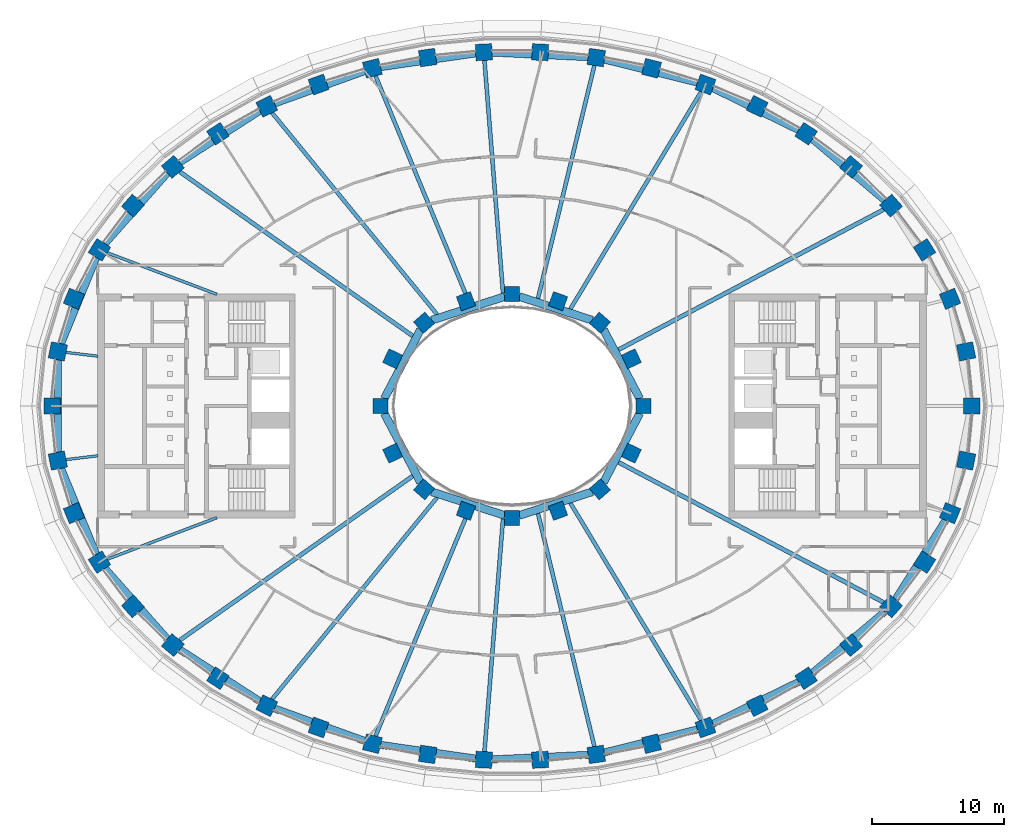
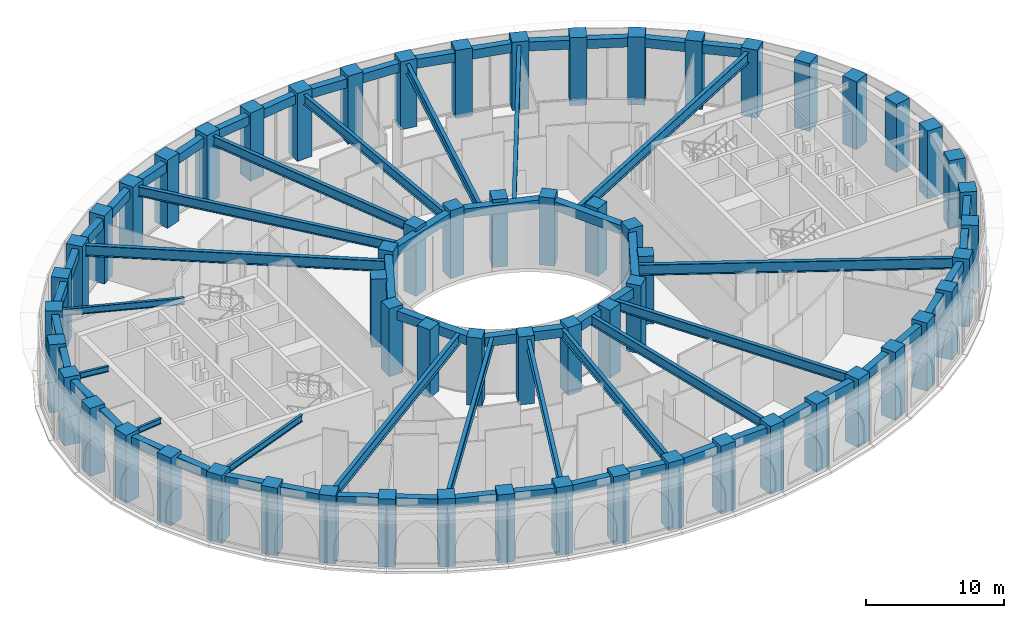
# One storey, part 1 of 23: 62 columns, 46 beams.
"""IFC4 building model written with IfcOpenShell, lengths in metres."""

from ifc_helpers import new_model, si_unit, direction, frame, origin, origin_2d, place, context, subcontext, project, spatial, rectangle, i_section, extrude, material, material_profile, profile_set, type_object, element, save


model = new_model("IFC4")

# Units and contexts
model_context = context("Model", 3, precision=1e-05, world=origin(), true_north=direction((0.0, 1.0)))
body_context = subcontext(model_context, "Body", "Model", "MODEL_VIEW")
ifc_project = project(units=[si_unit("LENGTHUNIT", "METRE"), si_unit("AREAUNIT", "SQUARE_METRE"), si_unit("VOLUMEUNIT", "CUBIC_METRE"), si_unit("PLANEANGLEUNIT", "RADIAN"), si_unit("MASSUNIT", "GRAM", prefix="KILO")], contexts=[model_context])

# Site, building, storey
site_placement = place(None, origin())
site = spatial("IfcSite", under=ifc_project, at=site_placement, CompositionType="ELEMENT")
building_placement = place(site_placement, origin())
building = spatial("IfcBuilding", under=site, at=building_placement, Name="Noorbagh Ring Tower", CompositionType="ELEMENT")
storey_placement = place(building_placement, frame((0.0, 0.0, 140.0)))
storey = spatial("IfcBuildingStorey", under=building, at=storey_placement, Name="L32", CompositionType="ELEMENT", Elevation=140.0)

# Columns
ifc_material_1 = material(Name="Concrete C60/75", Category="concrete")
ifc_material_profile_1 = material_profile(ifc_material_1, rectangle(XDim=1.25, YDim=1.25, at=origin_2d()), Name="RC1250x1250")
ifc_profile_set_1 = profile_set([ifc_material_profile_1], Name="Concrete C60/75")
column_type_1 = type_object("IfcColumnType", Name="STR-COL-RC1250x1250-C60-75", PredefinedType="COLUMN", material=ifc_profile_set_1)
for number, where, z_axis, x_axis, name in (
    (1, (34.944580078125, 0.0, 0.0), (0.0, 0.0, 1.0), (0.0, 1.0, 0.0), "L32/col/R1-01"),
    (2, (34.52685546875, 4.150634765625, 0.0), (0.0, 0.0, 1.0), (-0.19723040178, 0.9803571638, 0.0), "L32/col/R1-02"),
    (3, (33.30517578125, 8.1494140625, 0.0), (0.0, 0.0, 1.0), (-0.378989499959, 0.925400971969, 0.0), "L32/col/R1-03"),
    (4, (31.364990234375, 11.87109375, 0.0), (0.0, 0.0, 1.0), (-0.535190403059, 0.844731455833, 0.0), "L32/col/R1-04"),
    (5, (28.81884765625, 15.23046875, 0.0), (0.0, 0.0, 1.0), (-0.662635642662, 0.748941923699, 0.0), "L32/col/R1-05"),
    (6, (25.78271484375, 18.180419921875, 0.0), (0.0, 0.0, 1.0), (-0.763035199656, 0.646356932419, 0.0), "L32/col/R1-06"),
    (7, (22.362060546875, 20.699951171875, 0.0), (0.0, 0.0, 1.0), (-0.840247639643, 0.542202825586, 0.0), "L32/col/R1-07"),
    (8, (18.646240234375, 22.785400390625, 0.0), (0.0, 0.0, 1.0), (-0.898399080868, 0.439180021741, 0.0), "L32/col/R1-08"),
    (9, (14.70947265625, 24.44091796875, 0.0), (0.0, 0.0, 1.0), (-0.941024726094, 0.338337797003, 0.0), "L32/col/R1-09"),
    (10, (10.61328125, 25.673583984375, 0.0), (0.0, 0.0, 1.0), (-0.970829360981, 0.239771457553, 0.0), "L32/col/R1-10"),
    (11, (6.4091796875, 26.49072265625, 0.0), (0.0, 0.0, 1.0), (-0.989713114048, 0.143066249975, 0.0), "L32/col/R1-11"),
    (12, (2.14306640625, 26.89794921875, 0.0), (0.0, 0.0, 1.0), (-0.998868731212, 0.047552684538, 0.0), "L32/col/R1-12"),
    (13, (-2.14306640625, 26.89794921875, 0.0), (0.0, 0.0, 1.0), (-0.998868731212, -0.047552684538, 0.0), "L32/col/R1-13"),
    (14, (-6.4091796875, 26.49072265625, 0.0), (0.0, 0.0, 1.0), (-0.989713114048, -0.143066249975, 0.0), "L32/col/R1-14"),
    (15, (-10.61328125, 25.673583984375, 0.0), (0.0, 0.0, 1.0), (-0.970829360981, -0.239771457553, 0.0), "L32/col/R1-15"),
    (16, (-14.70947265625, 24.44091796875, 0.0), (0.0, 0.0, 1.0), (-0.941024726094, -0.338337797003, 0.0), "L32/col/R1-16"),
    (17, (-18.646240234375, 22.785400390625, 0.0), (0.0, 0.0, 1.0), (-0.898399080868, -0.439180021741, 0.0), "L32/col/R1-17"),
    (18, (-22.362060546875, 20.699951171875, 0.0), (0.0, 0.0, 1.0), (-0.840247639643, -0.542202825586, 0.0), "L32/col/R1-18"),
    (19, (-25.78271484375, 18.180419921875, 0.0), (0.0, 0.0, 1.0), (-0.763035199656, -0.646356932419, 0.0), "L32/col/R1-19"),
    (20, (-28.81884765625, 15.23046875, 0.0), (0.0, 0.0, 1.0), (-0.662635642662, -0.748941923699, 0.0), "L32/col/R1-20"),
    (21, (-31.364990234375, 11.87109375, 0.0), (0.0, 0.0, 1.0), (-0.535190403059, -0.844731455833, 0.0), "L32/col/R1-21"),
    (22, (-33.30517578125, 8.1494140625, 0.0), (0.0, 0.0, 1.0), (-0.378989499959, -0.925400971969, 0.0), "L32/col/R1-22"),
    (23, (-34.52685546875, 4.150634765625, 0.0), (0.0, 0.0, 1.0), (-0.19723040178, -0.9803571638, 0.0), "L32/col/R1-23"),
    (24, (-34.944580078125, 0.0, 0.0), (0.0, 0.0, 1.0), (0.0, -1.0, 0.0), "L32/col/R1-24"),
    (25, (-34.52685546875, -4.150634765625, 0.0), (0.0, 0.0, 1.0), (0.19723040178, -0.9803571638, 0.0), "L32/col/R1-25"),
    (26, (-33.30517578125, -8.1494140625, 0.0), (0.0, 0.0, 1.0), (0.378989499959, -0.925400971969, 0.0), "L32/col/R1-26"),
    (27, (-31.364990234375, -11.87109375, 0.0), (0.0, 0.0, 1.0), (0.535190403059, -0.844731455833, 0.0), "L32/col/R1-27"),
    (28, (-28.81884765625, -15.23046875, 0.0), (0.0, 0.0, 1.0), (0.662635642662, -0.748941923699, 0.0), "L32/col/R1-28"),
    (29, (-25.78271484375, -18.180419921875, 0.0), (0.0, 0.0, 1.0), (0.763035199656, -0.646356932419, 0.0), "L32/col/R1-29"),
    (30, (-22.362060546875, -20.699951171875, 0.0), (0.0, 0.0, 1.0), (0.840247639643, -0.542202825586, 0.0), "L32/col/R1-30"),
    (31, (-18.646240234375, -22.785400390625, 0.0), (0.0, 0.0, 1.0), (0.898399080868, -0.439180021741, 0.0), "L32/col/R1-31"),
    (32, (-14.70947265625, -24.44091796875, 0.0), (0.0, 0.0, 1.0), (0.941024726094, -0.338337797003, 0.0), "L32/col/R1-32"),
    (33, (-10.61328125, -25.673583984375, 0.0), (0.0, 0.0, 1.0), (0.970829360981, -0.239771457553, 0.0), "L32/col/R1-33"),
    (34, (-6.4091796875, -26.49072265625, 0.0), (0.0, 0.0, 1.0), (0.989713114048, -0.143066249975, 0.0), "L32/col/R1-34"),
    (35, (-2.14306640625, -26.89794921875, 0.0), (0.0, 0.0, 1.0), (0.998868731212, -0.047552684538, 0.0), "L32/col/R1-35"),
    (36, (2.14306640625, -26.89794921875, 0.0), (0.0, 0.0, 1.0), (0.998868731212, 0.047552684538, 0.0), "L32/col/R1-36"),
    (37, (6.4091796875, -26.49072265625, 0.0), (0.0, 0.0, 1.0), (0.989713114048, 0.143066249975, 0.0), "L32/col/R1-37"),
    (38, (10.61328125, -25.673583984375, 0.0), (0.0, 0.0, 1.0), (0.970829360981, 0.239771457553, 0.0), "L32/col/R1-38"),
    (39, (14.70947265625, -24.44091796875, 0.0), (0.0, 0.0, 1.0), (0.941024726094, 0.338337797003, 0.0), "L32/col/R1-39"),
    (40, (18.646240234375, -22.785400390625, 0.0), (0.0, 0.0, 1.0), (0.898399080868, 0.439180021741, 0.0), "L32/col/R1-40"),
    (41, (22.362060546875, -20.699951171875, 0.0), (0.0, 0.0, 1.0), (0.840247639643, 0.542202825586, 0.0), "L32/col/R1-41"),
    (42, (25.78271484375, -18.180419921875, 0.0), (0.0, 0.0, 1.0), (0.763035199656, 0.646356932419, 0.0), "L32/col/R1-42"),
    (43, (28.81884765625, -15.23046875, 0.0), (0.0, 0.0, 1.0), (0.662635642662, 0.748941923699, 0.0), "L32/col/R1-43"),
    (44, (31.364990234375, -11.87109375, 0.0), (0.0, 0.0, 1.0), (0.535190403059, 0.844731455833, 0.0), "L32/col/R1-44"),
    (45, (33.30517578125, -8.1494140625, 0.0), (0.0, 0.0, 1.0), (0.378989499959, 0.925400971969, 0.0), "L32/col/R1-45"),
    (46, (34.52685546875, -4.150634765625, 0.0), (0.0, 0.0, 1.0), (0.19723040178, 0.9803571638, 0.0), "L32/col/R1-46"),
):
    element("IfcColumn", number, at=place(storey_placement, frame(where, z_axis=z_axis, x_axis=x_axis)), inside=storey, type_object=column_type_1, Name=name, PredefinedType="COLUMN", context=body_context, shape_type="SweptSolid", body=[
        extrude(rectangle(XDim=1.25, YDim=1.25, at=origin_2d()), origin(), (0.0, 0.0, 1.0), 6.0),
    ])
ifc_material_2 = material(Name="Concrete C60/75", Category="concrete")
ifc_material_profile_2 = material_profile(ifc_material_2, rectangle(XDim=1.14990234375, YDim=1.14990234375, at=origin_2d()), Name="RC1150x1150")
ifc_profile_set_2 = profile_set([ifc_material_profile_2], Name="Concrete C60/75")
column_type_2 = type_object("IfcColumnType", Name="STR-ICOL-RC1150x1150-C60-75", PredefinedType="COLUMN", material=ifc_profile_set_2)
for number, where, z_axis, x_axis, name in (
    (47, (10.00830078125, 0.0, 0.0), (0.0, 0.0, 1.0), (0.0, 1.0, 0.0), "L32/col/IR2-W01"),
    (48, (9.07568359375, 3.58837890625, 0.0), (0.0, 0.0, 1.0), (-0.428666979171, 0.903462573087, 0.0), "L32/col/IR2-W03"),
    (49, (6.68212890625, 6.333740234375, 0.0), (0.0, 0.0, 1.0), (-0.75102249095, 0.660276622399, 0.0), "L32/col/IR2-W05"),
    (50, (3.5009765625, 7.967041015625, 0.0), (0.0, 0.0, 1.0), (-0.939019578916, 0.343863679984, 0.0), "L32/col/IR2-W07"),
    (51, (0.0, 8.5029296875, 0.0), (0.0, 0.0, 1.0), (-1.0, 0.0, 0.0), "L32/col/IR2-W09"),
    (52, (-3.5009765625, 7.967041015625, 0.0), (0.0, 0.0, 1.0), (-0.939019578916, -0.343863679984, 0.0), "L32/col/IR2-W11"),
    (53, (-6.68212890625, 6.333740234375, 0.0), (0.0, 0.0, 1.0), (-0.75102249095, -0.660276622399, 0.0), "L32/col/IR2-W13"),
    (54, (-9.07568359375, 3.58837890625, 0.0), (0.0, 0.0, 1.0), (-0.428666979171, -0.903462573087, 0.0), "L32/col/IR2-W15"),
    (55, (-10.00830078125, 0.0, 0.0), (0.0, 0.0, 1.0), (0.0, -1.0, 0.0), "L32/col/IR2-W17"),
    (56, (-9.07568359375, -3.58837890625, 0.0), (0.0, 0.0, 1.0), (0.428666979171, -0.903462573087, 0.0), "L32/col/IR2-W19"),
    (57, (-6.68212890625, -6.333740234375, 0.0), (0.0, 0.0, 1.0), (0.75102249095, -0.660276622399, 0.0), "L32/col/IR2-W21"),
    (58, (-3.5009765625, -7.967041015625, 0.0), (0.0, 0.0, 1.0), (0.939019578916, -0.343863679984, 0.0), "L32/col/IR2-W23"),
    (59, (0.0, -8.5029296875, 0.0), (0.0, 0.0, 1.0), (1.0, 0.0, 0.0), "L32/col/IR2-W25"),
    (60, (3.5009765625, -7.967041015625, 0.0), (0.0, 0.0, 1.0), (0.939019578916, 0.343863679984, 0.0), "L32/col/IR2-W27"),
    (61, (6.68212890625, -6.333740234375, 0.0), (0.0, 0.0, 1.0), (0.75102249095, 0.660276622399, 0.0), "L32/col/IR2-W29"),
    (62, (9.07568359375, -3.58837890625, 0.0), (0.0, 0.0, 1.0), (0.428666979171, 0.903462573087, 0.0), "L32/col/IR2-W31"),
):
    element("IfcColumn", number, at=place(storey_placement, frame(where, z_axis=z_axis, x_axis=x_axis)), inside=storey, type_object=column_type_2, Name=name, PredefinedType="COLUMN", context=body_context, shape_type="SweptSolid", body=[
        extrude(rectangle(XDim=1.14990234375, YDim=1.14990234375, at=origin_2d()), origin(), (0.0, 0.0, 1.0), 6.0),
    ])

# Beams
ifc_material_3 = material(Name="Steel S355", Category="steel")
ifc_material_profile_3 = material_profile(ifc_material_3, i_section(OverallWidth=0.199951171875, OverallDepth=0.5, WebThickness=0.01025390625, FlangeThickness=0.01611328125, FilletRadius=0.02099609375, at=origin_2d()), Name="IPE500")
ifc_profile_set_3 = profile_set([ifc_material_profile_3], Name="Steel S355")
beam_type_1 = type_object("IfcBeamType", Name="STR-RAD-IPE500", PredefinedType="BEAM", material=ifc_profile_set_3)
for number, where, z_axis, x_axis, name in (
    (63, (-33.924072265625, 4.078125, 5.449951171875), (0.992855702759, -0.119321219822, 0.0), (0.119321219822, 0.992855702759, 0.0), "L32/bm/RD23"),
    (64, (-33.924072265625, -4.078125, 5.449951171875), (0.992855702759, 0.119321219822, 0.0), (-0.119321219822, 0.992855702759, 0.0), "L32/bm/RD25"),
):
    element("IfcBeam", number, at=place(storey_placement, frame(where, z_axis=z_axis, x_axis=x_axis)), inside=storey, type_object=beam_type_1, Name=name, PredefinedType="BEAM", context=body_context, shape_type="SweptSolid", body=[
        extrude(i_section(OverallWidth=0.199951171875, OverallDepth=0.5, WebThickness=0.01025390625, FlangeThickness=0.01611328125, FilletRadius=0.02099609375, at=origin_2d()), origin(), (0.0, 0.0, 1.0), 2.46142578125),
    ])
ifc_material_4 = material(Name="Steel S355", Category="steel")
ifc_material_profile_4 = material_profile(ifc_material_4, i_section(OverallWidth=0.219970703125, OverallDepth=0.60009765625, WebThickness=0.011962890625, FlangeThickness=0.01904296875, FilletRadius=0.02392578125, at=origin_2d()), Name="IPE600")
ifc_profile_set_4 = profile_set([ifc_material_profile_4], Name="Steel S355")
beam_type_2 = type_object("IfcBeamType", Name="STR-RAD-IPE600", PredefinedType="BEAM", material=ifc_profile_set_4)
for number, where, z_axis, x_axis, name in (
    (65, (-30.786865234375, 11.652099609375, 5.39990234375), (0.935256889456, -0.353969703117, 0.0), (0.353969703117, 0.935256889456, 0.0), "L32/bm/RD21"),
    (66, (-30.786865234375, -11.652099609375, 5.39990234375), (0.935256889456, 0.353969703117, 0.0), (-0.353969703117, 0.935256889456, 0.0), "L32/bm/RD27"),
):
    element("IfcBeam", number, at=place(storey_placement, frame(where, z_axis=z_axis, x_axis=x_axis)), inside=storey, type_object=beam_type_2, Name=name, PredefinedType="BEAM", context=body_context, shape_type="SweptSolid", body=[
        extrude(i_section(OverallWidth=0.219970703125, OverallDepth=0.60009765625, WebThickness=0.011962890625, FlangeThickness=0.01904296875, FilletRadius=0.02392578125, at=origin_2d()), origin(), (0.0, 0.0, 1.0), 8.925048828125),
    ])
ifc_material_5 = material(Name="Steel S355", Category="steel")
ifc_material_profile_5 = material_profile(ifc_material_5, i_section(OverallWidth=0.300048828125, OverallDepth=0.85009765625, WebThickness=0.013916015625, FlangeThickness=0.028076171875, at=origin_2d()), Name="PG850x300x14x28")
ifc_profile_set_5 = profile_set([ifc_material_profile_5], Name="Steel S355")
beam_type_3 = type_object("IfcBeamType", Name="STR-RAD-PG850x300x14x28", PredefinedType="BEAM", material=ifc_profile_set_5)
beam_1_placement = place(storey_placement, frame((14.39111328125, 23.912109375, 5.27490234375), z_axis=(-0.515649393851, -0.856799686403, 0.0), x_axis=(0.856799686403, -0.515649393851, 0.0)))
element("IfcBeam", 67, at=beam_1_placement, inside=storey, type_object=beam_type_3, Name="L32/bm/RD09", PredefinedType="BEAM", context=body_context, shape_type="SweptSolid", body=[
    extrude(i_section(OverallWidth=0.300048828125, OverallDepth=0.85009765625, WebThickness=0.013916015625, FlangeThickness=0.028076171875, at=origin_2d()), origin(), (0.0, 0.0, 1.0), 19.318603515625),
])
beam_2_placement = place(storey_placement, frame((6.266357421875, 25.900146484375, 5.27490234375), z_axis=(-0.235162116431, -0.971956161046, 0.0), x_axis=(0.971956161046, -0.235162116431, 0.0)))
element("IfcBeam", 68, at=beam_2_placement, inside=storey, type_object=beam_type_3, Name="L32/bm/RD11", PredefinedType="BEAM", context=body_context, shape_type="SweptSolid", body=[
    extrude(i_section(OverallWidth=0.300048828125, OverallDepth=0.85009765625, WebThickness=0.013916015625, FlangeThickness=0.028076171875, at=origin_2d()), origin(), (0.0, 0.0, 1.0), 18.25537109375),
])
beam_3_placement = place(storey_placement, frame((-2.09521484375, 26.294677734375, 5.27490234375), z_axis=(0.079430227558, -0.996840428027, 0.0), x_axis=(0.996840428027, 0.079430227558, 0.0)))
element("IfcBeam", 69, at=beam_3_placement, inside=storey, type_object=beam_type_3, Name="L32/bm/RD13", PredefinedType="BEAM", context=body_context, shape_type="SweptSolid", body=[
    extrude(i_section(OverallWidth=0.300048828125, OverallDepth=0.85009765625, WebThickness=0.013916015625, FlangeThickness=0.028076171875, at=origin_2d()), origin(), (0.0, 0.0, 1.0), 17.77490234375),
])
beam_4_placement = place(storey_placement, frame((-10.37939453125, 25.10791015625, 5.27490234375), z_axis=(0.382033251653, -0.924148578223, 0.0), x_axis=(0.924148578223, 0.382033251653, 0.0)))
element("IfcBeam", 70, at=beam_4_placement, inside=storey, type_object=beam_type_3, Name="L32/bm/RD15", PredefinedType="BEAM", context=body_context, shape_type="SweptSolid", body=[
    extrude(i_section(OverallWidth=0.300048828125, OverallDepth=0.85009765625, WebThickness=0.013916015625, FlangeThickness=0.028076171875, at=origin_2d()), origin(), (0.0, 0.0, 1.0), 18.775390625),
])
for number, where, z_axis, x_axis, name in (
    (71, (-18.252197265625, 22.303955078125, 5.27490234375), (0.633304807385, -0.773902462163, 0.0), (0.773902462163, 0.633304807385, 0.0), "L32/bm/RD17"),
    (72, (-18.252197265625, -22.303955078125, 5.27490234375), (0.633304807385, 0.773902462163, 0.0), (-0.773902462163, 0.633304807385, 0.0), "L32/bm/RD31"),
):
    element("IfcBeam", number, at=place(storey_placement, frame(where, z_axis=z_axis, x_axis=x_axis)), inside=storey, type_object=beam_type_3, Name=name, PredefinedType="BEAM", context=body_context, shape_type="SweptSolid", body=[
        extrude(i_section(OverallWidth=0.300048828125, OverallDepth=0.85009765625, WebThickness=0.013916015625, FlangeThickness=0.028076171875, at=origin_2d()), origin(), (0.0, 0.0, 1.0), 19.837158203125),
    ])
beam_5_placement = place(storey_placement, frame((-10.37939453125, -25.10791015625, 5.27490234375), z_axis=(0.382033251653, 0.924148578223, 0.0), x_axis=(-0.924148578223, 0.382033251653, 0.0)))
element("IfcBeam", 73, at=beam_5_placement, inside=storey, type_object=beam_type_3, Name="L32/bm/RD33", PredefinedType="BEAM", context=body_context, shape_type="SweptSolid", body=[
    extrude(i_section(OverallWidth=0.300048828125, OverallDepth=0.85009765625, WebThickness=0.013916015625, FlangeThickness=0.028076171875, at=origin_2d()), origin(), (0.0, 0.0, 1.0), 18.775390625),
])
beam_6_placement = place(storey_placement, frame((-2.09521484375, -26.294677734375, 5.27490234375), z_axis=(0.079430227558, 0.996840428027, 0.0), x_axis=(-0.996840428027, 0.079430227558, 0.0)))
element("IfcBeam", 74, at=beam_6_placement, inside=storey, type_object=beam_type_3, Name="L32/bm/RD35", PredefinedType="BEAM", context=body_context, shape_type="SweptSolid", body=[
    extrude(i_section(OverallWidth=0.300048828125, OverallDepth=0.85009765625, WebThickness=0.013916015625, FlangeThickness=0.028076171875, at=origin_2d()), origin(), (0.0, 0.0, 1.0), 17.77490234375),
])
beam_7_placement = place(storey_placement, frame((6.266357421875, -25.900146484375, 5.27490234375), z_axis=(-0.235162116431, 0.971956161046, 0.0), x_axis=(-0.971956161046, -0.235162116431, 0.0)))
element("IfcBeam", 75, at=beam_7_placement, inside=storey, type_object=beam_type_3, Name="L32/bm/RD37", PredefinedType="BEAM", context=body_context, shape_type="SweptSolid", body=[
    extrude(i_section(OverallWidth=0.300048828125, OverallDepth=0.85009765625, WebThickness=0.013916015625, FlangeThickness=0.028076171875, at=origin_2d()), origin(), (0.0, 0.0, 1.0), 18.25537109375),
])
beam_8_placement = place(storey_placement, frame((14.39111328125, -23.912109375, 5.27490234375), z_axis=(-0.515649393851, 0.856799686403, 0.0), x_axis=(-0.856799686403, -0.515649393851, 0.0)))
element("IfcBeam", 76, at=beam_8_placement, inside=storey, type_object=beam_type_3, Name="L32/bm/RD39", PredefinedType="BEAM", context=body_context, shape_type="SweptSolid", body=[
    extrude(i_section(OverallWidth=0.300048828125, OverallDepth=0.85009765625, WebThickness=0.013916015625, FlangeThickness=0.028076171875, at=origin_2d()), origin(), (0.0, 0.0, 1.0), 19.318603515625),
])
ifc_material_6 = material(Name="Steel S355", Category="steel")
ifc_material_profile_6 = material_profile(ifc_material_6, i_section(OverallWidth=0.320068359375, OverallDepth=0.949951171875, WebThickness=0.01611328125, FlangeThickness=0.030029296875, at=origin_2d()), Name="PG950x320x16x30")
ifc_profile_set_6 = profile_set([ifc_material_profile_6], Name="Steel S355")
beam_type_4 = type_object("IfcBeamType", Name="STR-RAD-PG950x320x16x30", PredefinedType="BEAM", material=ifc_profile_set_6)
beam_9_placement = place(storey_placement, frame((28.267822265625, 14.939453125, 5.22509765625), z_axis=(-0.884118542568, -0.467262669906, 0.0), x_axis=(0.467262669906, -0.884118542568, 0.0)))
element("IfcBeam", 77, at=beam_9_placement, inside=storey, type_object=beam_type_4, Name="L32/bm/RD05", PredefinedType="BEAM", context=body_context, shape_type="SweptSolid", body=[
    extrude(i_section(OverallWidth=0.320068359375, OverallDepth=0.949951171875, WebThickness=0.01611328125, FlangeThickness=0.030029296875, at=origin_2d()), origin(), (0.0, 0.0, 1.0), 22.831787109375),
])
for number, where, z_axis, x_axis, name in (
    (78, (-25.271484375, 17.81982421875, 5.22509765625), (0.817255824505, -0.57627503617, 0.0), (0.57627503617, 0.817255824505, 0.0), "L32/bm/RD19"),
    (79, (-25.271484375, -17.81982421875, 5.22509765625), (0.817255824505, 0.57627503617, 0.0), (-0.57627503617, 0.817255824505, 0.0), "L32/bm/RD29"),
):
    element("IfcBeam", number, at=place(storey_placement, frame(where, z_axis=z_axis, x_axis=x_axis)), inside=storey, type_object=beam_type_4, Name=name, PredefinedType="BEAM", context=body_context, shape_type="SweptSolid", body=[
        extrude(i_section(OverallWidth=0.320068359375, OverallDepth=0.949951171875, WebThickness=0.01611328125, FlangeThickness=0.030029296875, at=origin_2d()), origin(), (0.0, 0.0, 1.0), 21.702880859375),
    ])
beam_10_placement = place(storey_placement, frame((28.267822265625, -14.939453125, 5.22509765625), z_axis=(-0.884118542568, 0.467262669906, 0.0), x_axis=(-0.467262669906, -0.884118542568, 0.0)))
element("IfcBeam", 80, at=beam_10_placement, inside=storey, type_object=beam_type_4, Name="L32/bm/RD43", PredefinedType="BEAM", context=body_context, shape_type="SweptSolid", body=[
    extrude(i_section(OverallWidth=0.320068359375, OverallDepth=0.949951171875, WebThickness=0.01611328125, FlangeThickness=0.030029296875, at=origin_2d()), origin(), (0.0, 0.0, 1.0), 22.831787109375),
])
ifc_material_7 = material(Name="Concrete C40/50", Category="concrete")
ifc_material_profile_7 = material_profile(ifc_material_7, rectangle(XDim=0.60009765625, YDim=0.800048828125, at=origin_2d()), Name="RC600x800")
ifc_profile_set_7 = profile_set([ifc_material_profile_7], Name="Concrete C40/50")
beam_type_5 = type_object("IfcBeamType", Name="STR-RB-RC600x800-C40-50", PredefinedType="BEAM", material=ifc_profile_set_7)
beam_11_placement = place(storey_placement, frame((9.7158203125, 0.557373046875, 5.300048828125), z_axis=(-0.464946878947, 0.885338579165, 0.0), x_axis=(-0.885338579165, -0.464946878947, 0.0)))
element("IfcBeam", 81, at=beam_11_placement, inside=storey, type_object=beam_type_5, Name="L32/bm/RG01", PredefinedType="BEAM", context=body_context, shape_type="SweptSolid", body=[
    extrude(rectangle(XDim=0.60009765625, YDim=0.800048828125, at=origin_2d()), origin(), (0.0, 0.0, 1.0), 5.9287109375),
])
for number, where, z_axis, x_axis, name in (
    (82, (6.10546875, 6.52099609375, 5.300048828125), (-0.951151772647, 0.308723671576, 0.0), (-0.308723671576, -0.951151772647, 0.0), "L32/bm/RG03"),
    (83, (-0.555908203125, 8.322265625, 5.300048828125), (-0.951151772647, -0.308723671576, 0.0), (0.308723671576, -0.951151772647, 0.0), "L32/bm/RG05"),
):
    element("IfcBeam", number, at=place(storey_placement, frame(where, z_axis=z_axis, x_axis=x_axis)), inside=storey, type_object=beam_type_5, Name=name, PredefinedType="BEAM", context=body_context, shape_type="SweptSolid", body=[
        extrude(rectangle(XDim=0.60009765625, YDim=0.800048828125, at=origin_2d()), origin(), (0.0, 0.0, 1.0), 5.83447265625),
    ])
for number, where, z_axis, x_axis, name in (
    (84, (-6.959228515625, 5.806396484375, 5.300048828125), (-0.464946878947, -0.885338579165, 0.0), (0.885338579165, -0.464946878947, 0.0), "L32/bm/RG07"),
    (85, (-9.7158203125, -0.557373046875, 5.300048828125), (0.464946878947, -0.885338579165, 0.0), (0.885338579165, 0.464946878947, 0.0), "L32/bm/RG09"),
):
    element("IfcBeam", number, at=place(storey_placement, frame(where, z_axis=z_axis, x_axis=x_axis)), inside=storey, type_object=beam_type_5, Name=name, PredefinedType="BEAM", context=body_context, shape_type="SweptSolid", body=[
        extrude(rectangle(XDim=0.60009765625, YDim=0.800048828125, at=origin_2d()), origin(), (0.0, 0.0, 1.0), 5.9287109375),
    ])
for number, where, z_axis, x_axis, name in (
    (86, (-6.10546875, -6.52099609375, 5.300048828125), (0.951151772647, -0.308723671576, 0.0), (0.308723671576, 0.951151772647, 0.0), "L32/bm/RG11"),
    (87, (0.555908203125, -8.322265625, 5.300048828125), (0.951151772647, 0.308723671576, 0.0), (-0.308723671576, 0.951151772647, 0.0), "L32/bm/RG13"),
):
    element("IfcBeam", number, at=place(storey_placement, frame(where, z_axis=z_axis, x_axis=x_axis)), inside=storey, type_object=beam_type_5, Name=name, PredefinedType="BEAM", context=body_context, shape_type="SweptSolid", body=[
        extrude(rectangle(XDim=0.60009765625, YDim=0.800048828125, at=origin_2d()), origin(), (0.0, 0.0, 1.0), 5.83447265625),
    ])
beam_12_placement = place(storey_placement, frame((6.959228515625, -5.806396484375, 5.300048828125), z_axis=(0.464946878947, 0.885338579165, 0.0), x_axis=(-0.885338579165, 0.464946878947, 0.0)))
element("IfcBeam", 88, at=beam_12_placement, inside=storey, type_object=beam_type_5, Name="L32/bm/RG15", PredefinedType="BEAM", context=body_context, shape_type="SweptSolid", body=[
    extrude(rectangle(XDim=0.60009765625, YDim=0.800048828125, at=origin_2d()), origin(), (0.0, 0.0, 1.0), 5.9287109375),
])
ifc_material_8 = material(Name="Concrete C40/50", Category="concrete")
ifc_material_profile_8 = material_profile(ifc_material_8, rectangle(XDim=0.550048828125, YDim=0.800048828125, at=origin_2d()), Name="RC550x800")
ifc_profile_set_8 = profile_set([ifc_material_profile_8], Name="Concrete C40/50")
beam_type_6 = type_object("IfcBeamType", Name="STR-SB-RC550x800-C40-50", PredefinedType="BEAM", material=ifc_profile_set_8)
beam_13_placement = place(storey_placement, frame((28.352294921875, 15.625732421875, 5.300048828125), z_axis=(-0.76304723731, 0.646342721498, 0.0), x_axis=(-0.646342721498, -0.76304723731, 0.0)))
element("IfcBeam", 89, at=beam_13_placement, inside=storey, type_object=beam_type_6, Name="L32/bm/SP05", PredefinedType="BEAM", context=body_context, shape_type="SweptSolid", body=[
    extrude(rectangle(XDim=0.550048828125, YDim=0.800048828125, at=origin_2d()), origin(), (0.0, 0.0, 1.0), 7.240234375),
])
beam_14_placement = place(storey_placement, frame((21.814453125, 20.967529296875, 5.300048828125), z_axis=(-0.898391398986, 0.439195735667, 0.0), x_axis=(-0.439195735667, -0.898391398986, 0.0)))
element("IfcBeam", 90, at=beam_14_placement, inside=storey, type_object=beam_type_6, Name="L32/bm/SP07", PredefinedType="BEAM", context=body_context, shape_type="SweptSolid", body=[
    extrude(rectangle(XDim=0.550048828125, YDim=0.800048828125, at=origin_2d()), origin(), (0.0, 0.0, 1.0), 7.2998046875),
])
beam_15_placement = place(storey_placement, frame((14.118896484375, 24.586669921875, 5.300048828125), z_axis=(-0.970829859213, 0.239769440213, 0.0), x_axis=(-0.239769440213, -0.970829859213, 0.0)))
element("IfcBeam", 91, at=beam_15_placement, inside=storey, type_object=beam_type_6, Name="L32/bm/SP09", PredefinedType="BEAM", context=body_context, shape_type="SweptSolid", body=[
    extrude(rectangle(XDim=0.550048828125, YDim=0.800048828125, at=origin_2d()), origin(), (0.0, 0.0, 1.0), 7.333251953125),
])
beam_16_placement = place(storey_placement, frame((5.802001953125, 26.519775390625, 5.300048828125), z_axis=(-0.998868588799, 0.047555675902, 0.0), x_axis=(-0.047555675902, -0.998868588799, 0.0)))
element("IfcBeam", 92, at=beam_16_placement, inside=storey, type_object=beam_type_6, Name="L32/bm/SP11", PredefinedType="BEAM", context=body_context, shape_type="SweptSolid", body=[
    extrude(rectangle(XDim=0.550048828125, YDim=0.800048828125, at=origin_2d()), origin(), (0.0, 0.0, 1.0), 7.346435546875),
])
beam_17_placement = place(storey_placement, frame((-2.744873046875, 26.81103515625, 5.300048828125), z_axis=(-0.989710679794, -0.143083088804, 0.0), x_axis=(0.143083088804, -0.989710679794, 0.0)))
element("IfcBeam", 93, at=beam_17_placement, inside=storey, type_object=beam_type_6, Name="L32/bm/SP13", PredefinedType="BEAM", context=body_context, shape_type="SweptSolid", body=[
    extrude(rectangle(XDim=0.550048828125, YDim=0.800048828125, at=origin_2d()), origin(), (0.0, 0.0, 1.0), 7.342041015625),
])
beam_18_placement = place(storey_placement, frame((-11.185546875, 25.4677734375, 5.300048828125), z_axis=(-0.941032743566, -0.33831549704, 0.0), x_axis=(0.33831549704, -0.941032743566, 0.0)))
element("IfcBeam", 94, at=beam_18_placement, inside=storey, type_object=beam_type_6, Name="L32/bm/SP15", PredefinedType="BEAM", context=body_context, shape_type="SweptSolid", body=[
    extrude(rectangle(XDim=0.550048828125, YDim=0.800048828125, at=origin_2d()), origin(), (0.0, 0.0, 1.0), 7.319580078125),
])
beam_19_placement = place(storey_placement, frame((-19.158447265625, 22.455078125, 5.300048828125), z_axis=(-0.840240413794, -0.542214023267, 0.0), x_axis=(0.542214023267, -0.840240413794, 0.0)))
element("IfcBeam", 95, at=beam_19_placement, inside=storey, type_object=beam_type_6, Name="L32/bm/SP17", PredefinedType="BEAM", context=body_context, shape_type="SweptSolid", body=[
    extrude(rectangle(XDim=0.550048828125, YDim=0.800048828125, at=origin_2d()), origin(), (0.0, 0.0, 1.0), 7.273681640625),
])
beam_20_placement = place(storey_placement, frame((-26.18798828125, 17.722412109375, 5.300048828125), z_axis=(-0.662621438295, -0.748954490948, 0.0), x_axis=(0.748954490948, -0.662621438295, 0.0)))
element("IfcBeam", 96, at=beam_20_placement, inside=storey, type_object=beam_type_6, Name="L32/bm/SP19", PredefinedType="BEAM", context=body_context, shape_type="SweptSolid", body=[
    extrude(rectangle(XDim=0.550048828125, YDim=0.800048828125, at=origin_2d()), origin(), (0.0, 0.0, 1.0), 7.19970703125),
])
beam_21_placement = place(storey_placement, frame((-31.597900390625, 11.302001953125, 5.300048828125), z_axis=(-0.379013796153, -0.925391021313, 0.0), x_axis=(0.925391021313, -0.379013796153, 0.0)))
element("IfcBeam", 97, at=beam_21_placement, inside=storey, type_object=beam_type_6, Name="L32/bm/SP21", PredefinedType="BEAM", context=body_context, shape_type="SweptSolid", body=[
    extrude(rectangle(XDim=0.550048828125, YDim=0.800048828125, at=origin_2d()), origin(), (0.0, 0.0, 1.0), 7.111328125),
])
beam_22_placement = place(storey_placement, frame((-34.52685546875, 3.533203125, 5.300048828125), z_axis=(0.0, -1.0, 0.0), x_axis=(1.0, 0.0, 0.0)))
element("IfcBeam", 98, at=beam_22_placement, inside=storey, type_object=beam_type_6, Name="L32/bm/SP23", PredefinedType="BEAM", context=body_context, shape_type="SweptSolid", body=[
    extrude(rectangle(XDim=0.550048828125, YDim=0.800048828125, at=origin_2d()), origin(), (0.0, 0.0, 1.0), 7.06640625),
])
beam_23_placement = place(storey_placement, frame((-34.293212890625, -4.72119140625, 5.300048828125), z_axis=(0.379013796153, -0.925391021313, 0.0), x_axis=(0.925391021313, 0.379013796153, 0.0)))
element("IfcBeam", 99, at=beam_23_placement, inside=storey, type_object=beam_type_6, Name="L32/bm/SP25", PredefinedType="BEAM", context=body_context, shape_type="SweptSolid", body=[
    extrude(rectangle(XDim=0.550048828125, YDim=0.800048828125, at=origin_2d()), origin(), (0.0, 0.0, 1.0), 7.111328125),
])
beam_24_placement = place(storey_placement, frame((-30.958740234375, -12.330078125, 5.300048828125), z_axis=(0.662621438295, -0.748954490948, 0.0), x_axis=(0.748954490948, 0.662621438295, 0.0)))
element("IfcBeam", 100, at=beam_24_placement, inside=storey, type_object=beam_type_6, Name="L32/bm/SP27", PredefinedType="BEAM", context=body_context, shape_type="SweptSolid", body=[
    extrude(rectangle(XDim=0.550048828125, YDim=0.800048828125, at=origin_2d()), origin(), (0.0, 0.0, 1.0), 7.19970703125),
])
beam_25_placement = place(storey_placement, frame((-25.27001953125, -18.51123046875, 5.300048828125), z_axis=(0.840240413794, -0.542214023267, 0.0), x_axis=(0.542214023267, 0.840240413794, 0.0)))
element("IfcBeam", 101, at=beam_25_placement, inside=storey, type_object=beam_type_6, Name="L32/bm/SP29", PredefinedType="BEAM", context=body_context, shape_type="SweptSolid", body=[
    extrude(rectangle(XDim=0.550048828125, YDim=0.800048828125, at=origin_2d()), origin(), (0.0, 0.0, 1.0), 7.273681640625),
])
beam_26_placement = place(storey_placement, frame((-18.073486328125, -22.991455078125, 5.300048828125), z_axis=(0.941032743566, -0.33831549704, 0.0), x_axis=(0.33831549704, 0.941032743566, 0.0)))
element("IfcBeam", 102, at=beam_26_placement, inside=storey, type_object=beam_type_6, Name="L32/bm/SP31", PredefinedType="BEAM", context=body_context, shape_type="SweptSolid", body=[
    extrude(rectangle(XDim=0.550048828125, YDim=0.800048828125, at=origin_2d()), origin(), (0.0, 0.0, 1.0), 7.319580078125),
])
beam_27_placement = place(storey_placement, frame((-10.011474609375, -25.760498046875, 5.300048828125), z_axis=(0.989710679794, -0.143083088804, 0.0), x_axis=(0.143083088804, 0.989710679794, 0.0)))
element("IfcBeam", 103, at=beam_27_placement, inside=storey, type_object=beam_type_6, Name="L32/bm/SP33", PredefinedType="BEAM", context=body_context, shape_type="SweptSolid", body=[
    extrude(rectangle(XDim=0.550048828125, YDim=0.800048828125, at=origin_2d()), origin(), (0.0, 0.0, 1.0), 7.342041015625),
])
beam_28_placement = place(storey_placement, frame((-1.5361328125, -26.869140625, 5.300048828125), z_axis=(0.998868588799, 0.047555675902, 0.0), x_axis=(-0.047555675902, 0.998868588799, 0.0)))
element("IfcBeam", 104, at=beam_28_placement, inside=storey, type_object=beam_type_6, Name="L32/bm/SP35", PredefinedType="BEAM", context=body_context, shape_type="SweptSolid", body=[
    extrude(rectangle(XDim=0.550048828125, YDim=0.800048828125, at=origin_2d()), origin(), (0.0, 0.0, 1.0), 7.346435546875),
])
beam_29_placement = place(storey_placement, frame((6.99951171875, -26.344970703125, 5.300048828125), z_axis=(0.970829859213, 0.239769440213, 0.0), x_axis=(-0.239769440213, 0.970829859213, 0.0)))
element("IfcBeam", 105, at=beam_29_placement, inside=storey, type_object=beam_type_6, Name="L32/bm/SP37", PredefinedType="BEAM", context=body_context, shape_type="SweptSolid", body=[
    extrude(rectangle(XDim=0.550048828125, YDim=0.800048828125, at=origin_2d()), origin(), (0.0, 0.0, 1.0), 7.333251953125),
])
beam_30_placement = place(storey_placement, frame((15.25634765625, -24.173583984375, 5.300048828125), z_axis=(0.898391398986, 0.439195735667, 0.0), x_axis=(-0.439195735667, 0.898391398986, 0.0)))
element("IfcBeam", 106, at=beam_30_placement, inside=storey, type_object=beam_type_6, Name="L32/bm/SP39", PredefinedType="BEAM", context=body_context, shape_type="SweptSolid", body=[
    extrude(rectangle(XDim=0.550048828125, YDim=0.800048828125, at=origin_2d()), origin(), (0.0, 0.0, 1.0), 7.2998046875),
])
beam_31_placement = place(storey_placement, frame((22.82763671875, -20.305419921875, 5.300048828125), z_axis=(0.76304723731, 0.646342721498, 0.0), x_axis=(-0.646342721498, 0.76304723731, 0.0)))
element("IfcBeam", 107, at=beam_31_placement, inside=storey, type_object=beam_type_6, Name="L32/bm/SP41", PredefinedType="BEAM", context=body_context, shape_type="SweptSolid", body=[
    extrude(rectangle(XDim=0.550048828125, YDim=0.800048828125, at=origin_2d()), origin(), (0.0, 0.0, 1.0), 7.240234375),
])
beam_32_placement = place(storey_placement, frame((29.14697265625, -14.712646484375, 5.300048828125), z_axis=(0.535178715716, 0.844738860385, 0.0), x_axis=(-0.844738860385, 0.535178715716, 0.0)))
element("IfcBeam", 108, at=beam_32_placement, inside=storey, type_object=beam_type_6, Name="L32/bm/SP43", PredefinedType="BEAM", context=body_context, shape_type="SweptSolid", body=[
    extrude(rectangle(XDim=0.550048828125, YDim=0.800048828125, at=origin_2d()), origin(), (0.0, 0.0, 1.0), 7.15478515625),
])

save(model, "model.ifc")
